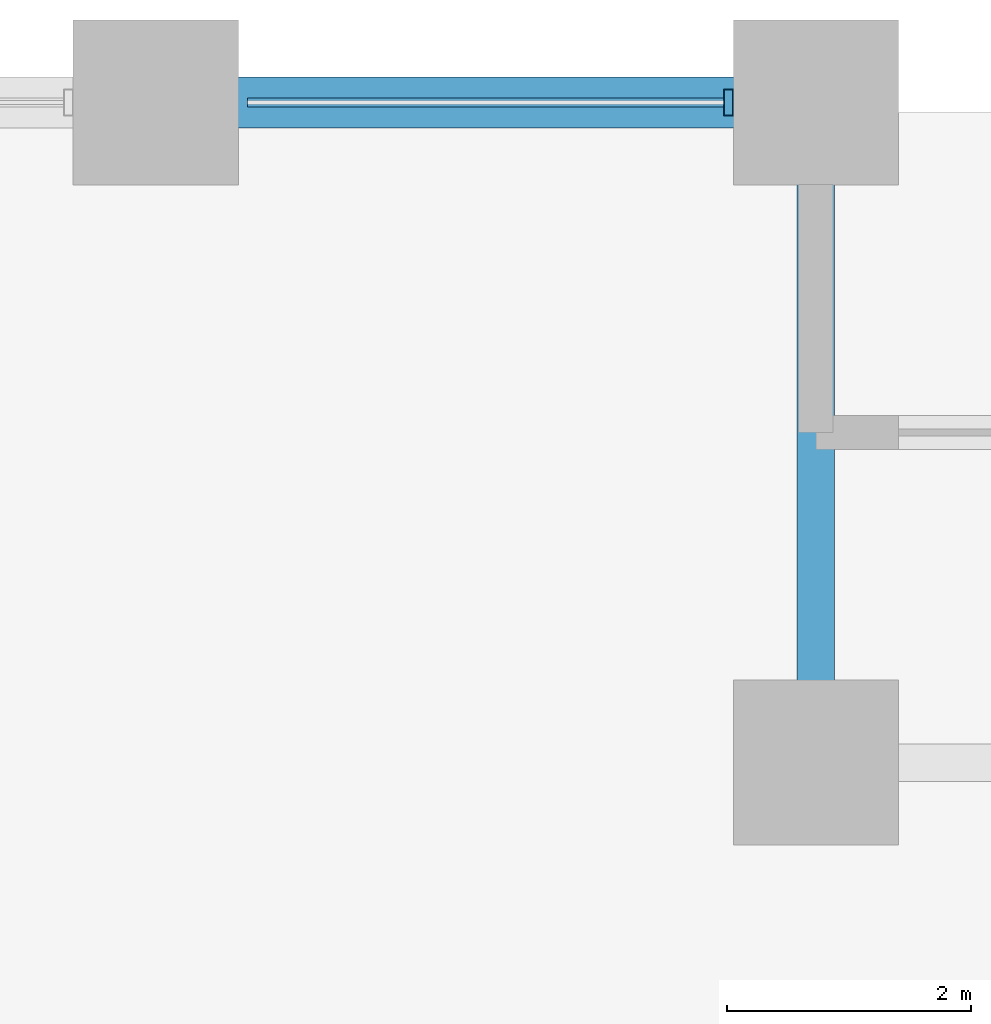
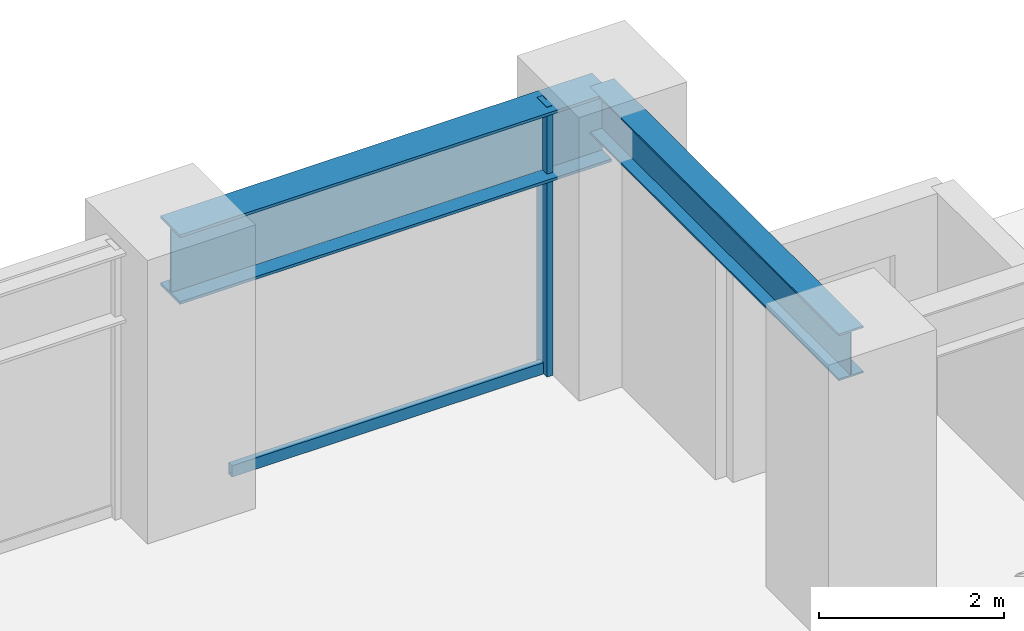
# One storey, part 16 of 27: 2 beams, 2 members, 1 element without a shape of its own.
"""IFC4 building model written with IfcOpenShell, lengths in metres."""

from ifc_helpers import new_model, si_unit, direction, frame, origin, origin_2d, place, context, subcontext, project, spatial, hollow_rectangle, i_section, extrude, material, layer, layer_set, material_profile, profile_set, type_object, element, aggregate, save


model = new_model("IFC4")

# Units and contexts
model_context = context("Model", 3, precision=1e-05, world=origin(), true_north=direction((0.0, 1.0)))
body_context = subcontext(model_context, "Body", "Model", "MODEL_VIEW")
ifc_project = project(units=[si_unit("LENGTHUNIT", "METRE"), si_unit("AREAUNIT", "SQUARE_METRE"), si_unit("VOLUMEUNIT", "CUBIC_METRE"), si_unit("PLANEANGLEUNIT", "RADIAN"), si_unit("MASSUNIT", "GRAM", prefix="KILO")], contexts=[model_context])

# Site, building, storey
site_placement = place(None, origin())
site = spatial("IfcSite", under=ifc_project, at=site_placement, CompositionType="ELEMENT")
building_placement = place(site_placement, origin())
building = spatial("IfcBuilding", under=site, at=building_placement, Name="Surkhivell Harbour Commons", CompositionType="ELEMENT")
storey_placement = place(building_placement, frame((0.0, 0.0, 22.5)))
storey = spatial("IfcBuildingStorey", under=building, at=storey_placement, Name="L05", CompositionType="ELEMENT", Elevation=22.5)

# Beams
ifc_material_1 = material(Name="Steel S355", Category="steel")
ifc_material_profile_1 = material_profile(ifc_material_1, i_section(OverallWidth=0.306884765625, OverallDepth=0.6201171875, WebThickness=0.01416015625, FlangeThickness=0.023681640625, at=origin_2d()), Name="UB610x305x179")
ifc_profile_set_1 = profile_set([ifc_material_profile_1], Name="Steel S355")
beam_type_1 = type_object("IfcBeamType", Name="BM-GRD-610A", PredefinedType="BEAM", material=ifc_profile_set_1)
beam_1_placement = place(storey_placement, frame((27.0, 20.5, 3.260009765625), z_axis=(0.0, 1.0, 0.0), x_axis=(-1.0, 0.0, 0.0)))
element("IfcBeam", 1, at=beam_1_placement, inside=storey, type_object=beam_type_1, Name="L05 Floor Girder (27.0,20.5)", PredefinedType="BEAM", context=body_context, shape_type="SweptSolid", body=[
    extrude(i_section(OverallWidth=0.306884765625, OverallDepth=0.6201171875, WebThickness=0.01416015625, FlangeThickness=0.023681640625, at=origin_2d()), origin(), (0.0, 0.0, 1.0), 5.39990234375),
])
ifc_material_2 = material(Name="Steel S460", Category="steel")
ifc_material_profile_2 = material_profile(ifc_material_2, i_section(OverallWidth=0.419921875, OverallDepth=0.9208984375, WebThickness=0.021484375, FlangeThickness=0.03662109375, at=origin_2d()), Name="UB914x419x388")
ifc_profile_set_2 = profile_set([ifc_material_profile_2], Name="Steel S460")
beam_type_2 = type_object("IfcBeamType", Name="BM-SPN-914A", PredefinedType="SPANDREL", material=ifc_profile_set_2)
beam_2_placement = place(storey_placement, frame((21.60009765625, 25.89990234375, 3.109619140625), z_axis=(1.0, 0.0, 0.0), x_axis=(0.0, 1.0, 0.0)))
element("IfcBeam", 2, at=beam_2_placement, inside=storey, type_object=beam_type_2, Name="L05 Tube Spandrel (21.6,25.9)", PredefinedType="SPANDREL", context=body_context, shape_type="SweptSolid", body=[
    extrude(i_section(OverallWidth=0.419921875, OverallDepth=0.9208984375, WebThickness=0.021484375, FlangeThickness=0.03662109375, at=origin_2d()), origin(), (0.0, 0.0, 1.0), 5.39990234375),
])

# Curtain wall, members
ifc_material_3 = material(Name="Anodised pale-metal aluminium and insulated glazing", Category="aluminium")
ifc_layer = layer(ifc_material_3, 0.219970703125)
ifc_layer_set = layer_set([ifc_layer], Name="Anodised pale-metal aluminium and insulated glazing")
curtain_wall_type = type_object("IfcCurtainWallType", Name="CW-SYS-Z1", PredefinedType="NOTDEFINED", material=ifc_layer_set)
curtain_wall_placement = place(storey_placement, origin())
curtain_wall = element("IfcCurtainWall", 3, at=curtain_wall_placement, inside=storey, type_object=curtain_wall_type, Name="L05 Curtain Wall CW-L05-E07S1", PredefinedType="NOTDEFINED")
ifc_material_4 = material(Name="Anodised pale-metal aluminium alloy 6063-T6", Category="aluminium")
ifc_material_profile_3 = material_profile(ifc_material_4, hollow_rectangle(XDim=0.074951171875, YDim=0.219970703125, WallThickness=0.00390625, at=origin_2d()), Name="ALU-MULL-75x220")
ifc_profile_set_3 = profile_set([ifc_material_profile_3], Name="Anodised pale-metal aluminium alloy 6063-T6")
member_type_1 = type_object("IfcMemberType", Name="CWM-220", PredefinedType="MULLION", material=ifc_profile_set_3)
member_1_placement = place(storey_placement, frame((26.285400390625, 25.89990234375, 0.0), z_axis=(0.0, 0.0, 1.0), x_axis=(-1.0, 0.0, 0.0)))
member_1 = element("IfcMember", 4, at=member_1_placement, type_object=member_type_1, Name="CW-Z1 mullion 1", PredefinedType="MULLION", context=body_context, shape_type="SweptSolid", body=[
    extrude(hollow_rectangle(XDim=0.074951171875, YDim=0.219970703125, WallThickness=0.00390625, at=origin_2d()), origin(), (0.0, 0.0, 1.0), 3.570068359375),
])
ifc_material_profile_4 = material_profile(ifc_material_4, hollow_rectangle(XDim=0.074951171875, YDim=0.14990234375, WallThickness=0.00341796875, at=origin_2d()), Name="ALU-TRAN-75x150")
ifc_profile_set_4 = profile_set([ifc_material_profile_4], Name="Anodised pale-metal aluminium alloy 6063-T6")
member_type_2 = type_object("IfcMemberType", Name="CWT-150", PredefinedType="USERDEFINED", material=ifc_profile_set_4)
member_2_placement = place(storey_placement, frame((26.248046875, 25.89990234375, 0.074951171875), z_axis=(-1.0, 0.0, 0.0), x_axis=(0.0, -1.0, 0.0)))
member_2 = element("IfcMember", 5, at=member_2_placement, type_object=member_type_2, Name="CW-Z1 transom 1.1", ObjectType="TRANSOM", PredefinedType="USERDEFINED", context=body_context, shape_type="SweptSolid", body=[
    extrude(hollow_rectangle(XDim=0.074951171875, YDim=0.14990234375, WallThickness=0.00341796875, at=origin_2d()), origin(), (0.0, 0.0, 1.0), 3.89599609375),
])
aggregate(curtain_wall, [member_1, member_2])

save(model, "model.ifc")
